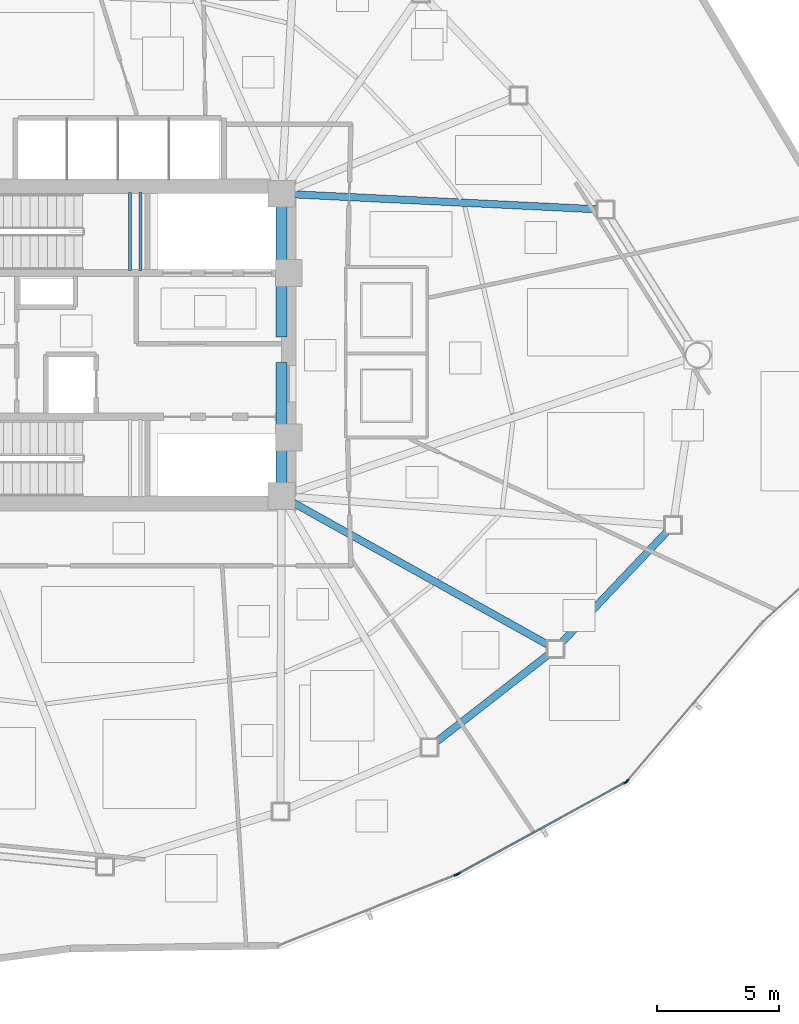
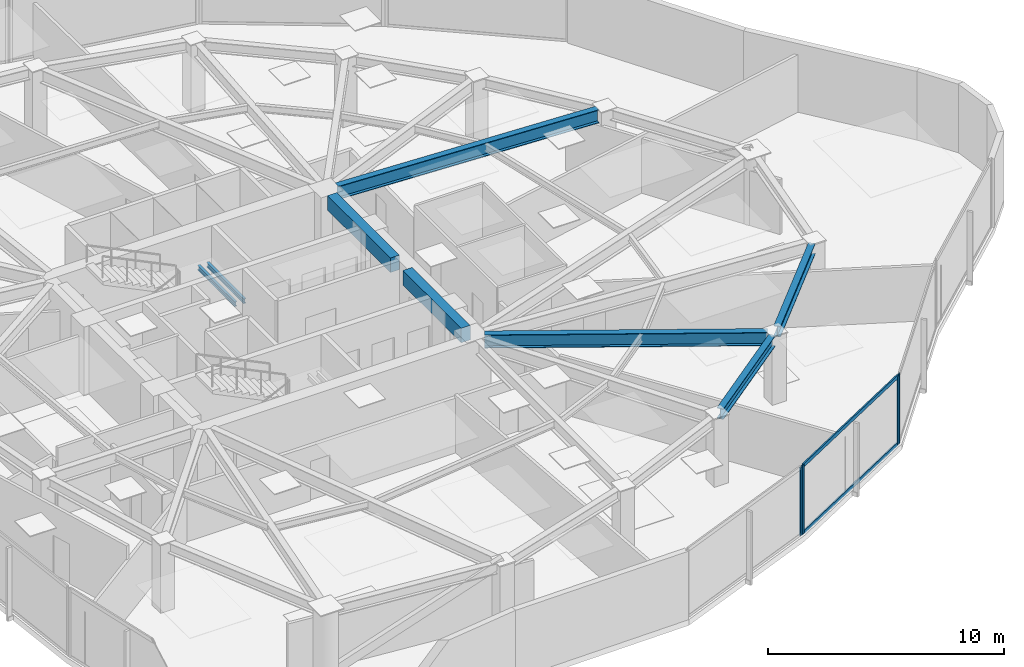
# One storey, part 5 of 16: 8 beams, 6 members, 3 elements without a shape of their own.
"""IFC4 building model written with IfcOpenShell, lengths in metres."""

from ifc_helpers import new_model, si_unit, direction, frame, origin, origin_2d, place, context, subcontext, project, spatial, rectangle, hollow_rectangle, i_section, extrude, source, transform, mapped, material, layer, layer_set, material_profile, profile_set, type_object, type_shapes, element, aggregate, save


model = new_model("IFC4")

# Units and contexts
model_context = context("Model", 3, precision=1e-05, world=origin(), true_north=direction((0.0, 1.0)))
body_context = subcontext(model_context, "Body", "Model", "MODEL_VIEW")
ifc_project = project(units=[si_unit("LENGTHUNIT", "METRE"), si_unit("AREAUNIT", "SQUARE_METRE"), si_unit("VOLUMEUNIT", "CUBIC_METRE"), si_unit("PLANEANGLEUNIT", "RADIAN"), si_unit("MASSUNIT", "GRAM", prefix="KILO")], contexts=[model_context])

# Site, building, storey
site_placement = place(None, origin())
site = spatial("IfcSite", under=ifc_project, at=site_placement, CompositionType="ELEMENT")
building_placement = place(site_placement, origin())
building = spatial("IfcBuilding", under=site, at=building_placement, Name="Tavelor Broadcast Tower", CompositionType="ELEMENT")
storey_placement = place(building_placement, frame((0.0, 0.0, 138.699951171875)))
storey = spatial("IfcBuildingStorey", under=building, at=storey_placement, Name="L32", CompositionType="ELEMENT", Elevation=138.699951171875)

# Beams
ifc_material_1 = material(Name="Concrete C40/50", Category="concrete")
ifc_material_profile_1 = material_profile(ifc_material_1, rectangle(XDim=0.449951171875, YDim=0.75, at=origin_2d()), Name="RC 450x750")
ifc_profile_set_1 = profile_set([ifc_material_profile_1], Name="Concrete C40/50")
beam_type_1 = type_object("IfcBeamType", Name="Basement Core Trim Beam 450x750", PredefinedType="BEAM", material=ifc_profile_set_1)
beam_1_placement = place(storey_placement, frame((56.60009765625, 45.327880859375, 3.175048828125), z_axis=(0.0, 1.0, 0.0), x_axis=(-1.0, 0.0, 0.0)))
element("IfcBeam", 1, at=beam_1_placement, inside=storey, type_object=beam_type_1, Name="L32 Core East-N Tie Girder", PredefinedType="BEAM", context=body_context, shape_type="SweptSolid", body=[
    extrude(rectangle(XDim=0.449951171875, YDim=0.75, at=origin_2d()), origin(), (0.0, 0.0, 1.0), 5.34423828125),
])
beam_2_placement = place(storey_placement, frame((56.60009765625, 39.327880859375, 3.175048828125), z_axis=(0.0, 1.0, 0.0), x_axis=(-1.0, 0.0, 0.0)))
element("IfcBeam", 2, at=beam_2_placement, inside=storey, type_object=beam_type_1, Name="L32 Core East-S Tie Girder", PredefinedType="BEAM", context=body_context, shape_type="SweptSolid", body=[
    extrude(rectangle(XDim=0.449951171875, YDim=0.75, at=origin_2d()), origin(), (0.0, 0.0, 1.0), 4.944091796875),
])
ifc_material_2 = material(Name="Steel S355", Category="steel")
ifc_material_profile_2 = material_profile(ifc_material_2, i_section(OverallWidth=0.300048828125, OverallDepth=0.550048828125, WebThickness=0.014892578125, FlangeThickness=0.029052734375, at=origin_2d()), Name="HEB 550")
ifc_profile_set_2 = profile_set([ifc_material_profile_2], Name="Steel S355")
beam_type_2 = type_object("IfcBeamType", Name="Perimeter Spandrel Beam T3 HEB 550", PredefinedType="SPANDREL", material=ifc_profile_set_2)
beam_3_placement = place(storey_placement, frame((62.934326171875, 28.709716796875, 3.275146484375), z_axis=(0.788970059341, 0.614431644257, 0.0), x_axis=(-0.614431644257, 0.788970059341, 0.0)))
element("IfcBeam", 3, at=beam_3_placement, inside=storey, type_object=beam_type_2, Name="L32 Framed-Tube Ring Spandrel 10", PredefinedType="SPANDREL", context=body_context, shape_type="SweptSolid", body=[
    extrude(i_section(OverallWidth=0.300048828125, OverallDepth=0.550048828125, WebThickness=0.014892578125, FlangeThickness=0.029052734375, at=origin_2d()), origin(), (0.0, 0.0, 1.0), 5.884765625),
])
beam_4_placement = place(storey_placement, frame((68.073486328125, 32.775390625, 3.275146484375), z_axis=(0.688378130541, 0.72535201757, 0.0), x_axis=(-0.72535201757, 0.688378130541, 0.0)))
element("IfcBeam", 4, at=beam_4_placement, inside=storey, type_object=beam_type_2, Name="L32 Framed-Tube Ring Spandrel 11", PredefinedType="SPANDREL", context=body_context, shape_type="SweptSolid", body=[
    extrude(i_section(OverallWidth=0.300048828125, OverallDepth=0.550048828125, WebThickness=0.014892578125, FlangeThickness=0.029052734375, at=origin_2d()), origin(), (0.0, 0.0, 1.0), 6.32568359375),
])
ifc_material_profile_3 = material_profile(ifc_material_2, i_section(OverallWidth=0.300048828125, OverallDepth=0.68994140625, WebThickness=0.014404296875, FlangeThickness=0.027099609375, at=origin_2d()), Name="HEA 700")
ifc_profile_set_3 = profile_set([ifc_material_profile_3], Name="Steel S355")
beam_type_3 = type_object("IfcBeamType", Name="Radial Floor Girder T3 HEA 700", PredefinedType="BEAM", material=ifc_profile_set_3)
beam_5_placement = place(storey_placement, frame((57.061279296875, 38.54296875, 3.205078125), z_axis=(0.873405286678, -0.486994050481, 0.0), x_axis=(0.486994050481, 0.873405286678, 0.0)))
element("IfcBeam", 5, at=beam_5_placement, inside=storey, type_object=beam_type_3, Name="L32 Radial Primary Floor Girder 11", PredefinedType="BEAM", context=body_context, shape_type="SweptSolid", body=[
    extrude(i_section(OverallWidth=0.300048828125, OverallDepth=0.68994140625, WebThickness=0.014404296875, FlangeThickness=0.027099609375, at=origin_2d()), origin(), (0.0, 0.0, 1.0), 12.007568359375),
])
beam_6_placement = place(storey_placement, frame((57.12744140625, 51.174072265625, 3.205078125), z_axis=(0.998783710906, -0.04930617435, 0.0), x_axis=(0.04930617435, 0.998783710906, 0.0)))
element("IfcBeam", 6, at=beam_6_placement, inside=storey, type_object=beam_type_3, Name="L32 Radial Primary Floor Girder 14", PredefinedType="BEAM", context=body_context, shape_type="SweptSolid", body=[
    extrude(i_section(OverallWidth=0.300048828125, OverallDepth=0.68994140625, WebThickness=0.014404296875, FlangeThickness=0.027099609375, at=origin_2d()), origin(), (0.0, 0.0, 1.0), 12.438232421875),
])
ifc_material_profile_4 = material_profile(ifc_material_2, i_section(OverallWidth=0.1201171875, OverallDepth=0.239990234375, WebThickness=0.006103515625, FlangeThickness=0.009765625, at=origin_2d()), Name="IPE 240")
ifc_profile_set_4 = profile_set([ifc_material_profile_4], Name="Steel S355")
beam_type_4 = type_object("IfcBeamType", Name="Stairwell Landing Support Trimmer Beam IPE240", PredefinedType="BEAM", material=ifc_profile_set_4)
for number, where, z_axis, x_axis, name in (
    (7, (50.385009765625, 48.06005859375, 1.610107421875), (0.0, 1.0, 0.0), (-1.0, 0.0, 0.0), "L32 Stair Landing Support Beam 97"),
    (8, (50.824951171875, 48.06005859375, 1.610107421875), (0.0, 1.0, 0.0), (-1.0, 0.0, 0.0), "L32 Stair Landing Support Beam 98"),
):
    element("IfcBeam", number, at=place(storey_placement, frame(where, z_axis=z_axis, x_axis=x_axis)), inside=storey, type_object=beam_type_4, Name=name, PredefinedType="BEAM", context=body_context, shape_type="SweptSolid", body=[
        extrude(i_section(OverallWidth=0.1201171875, OverallDepth=0.239990234375, WebThickness=0.006103515625, FlangeThickness=0.009765625, at=origin_2d()), origin(), (0.0, 0.0, 1.0), 3.179931640625),
    ])

# Curtain wall, member
ifc_material_3 = material(Name="Architectural Anodized Aluminium", Category="aluminium")
ifc_layer = layer(ifc_material_3, 0.18994140625)
ifc_layer_set = layer_set([ifc_layer], Name="Architectural Anodized Aluminium")
curtain_wall_type = type_object("IfcCurtainWallType", Name="Tower Mid-Zone Acoustic Curtain Wall CW03", PredefinedType="NOTDEFINED", material=ifc_layer_set)
curtain_wall_1_placement = place(storey_placement, origin())
curtain_wall_1 = element("IfcCurtainWall", 9, at=curtain_wall_1_placement, inside=storey, type_object=curtain_wall_type, Name="L32 Curtain Wall CW03 Run 329", PredefinedType="NOTDEFINED")
ifc_material_profile_5 = material_profile(ifc_material_3, hollow_rectangle(XDim=0.068115234375, YDim=0.18994140625, WallThickness=0.02197265625, at=origin_2d()), Name="RHS 68x190x22")
ifc_profile_set_5 = profile_set([ifc_material_profile_5], Name="Architectural Anodized Aluminium")
member_type_1 = type_object("IfcMemberType", Name="CW03 Extruded Aluminium Mullion 68x190", PredefinedType="MULLION", material=ifc_profile_set_5)
shared_shape_1 = source(origin(), body_context, "Body", "SweptSolid", [
    extrude(hollow_rectangle(XDim=0.068115234375, YDim=0.18994140625, WallThickness=0.02197265625, at=origin_2d()), origin(), (0.0, 0.0, 1.0), 3.550048828125),
])
type_shapes(member_type_1, [shared_shape_1])
member_1_placement = place(storey_placement, frame((63.768798828125, 23.27490234375, 0.0), z_axis=(0.0, 0.0, 1.0), x_axis=(-0.370161763197, 0.928967313239, 0.0)))
member_1 = element("IfcMember", 10, at=member_1_placement, type_object=member_type_1, Name="CW03 mullion 2", PredefinedType="MULLION", context=body_context, shape_type="MappedRepresentation", body=[
    mapped(shared_shape_1, transform((0.0, 0.0, 0.0), scale=1.0)),
])
aggregate(curtain_wall_1, [member_1])

# Curtain wall, members
curtain_wall_2_placement = place(storey_placement, origin())
curtain_wall_2 = element("IfcCurtainWall", 11, at=curtain_wall_2_placement, inside=storey, type_object=curtain_wall_type, Name="L32 Curtain Wall CW03 Run 330", PredefinedType="NOTDEFINED")
member_2_placement = place(storey_placement, frame((63.857421875, 23.316650390625, 0.0), z_axis=(0.0, 0.0, 1.0), x_axis=(-0.479832663434, 0.877360025931, 0.0)))
member_2 = element("IfcMember", 12, at=member_2_placement, type_object=member_type_1, Name="CW03 mullion 1", PredefinedType="MULLION", context=body_context, shape_type="MappedRepresentation", body=[
    mapped(shared_shape_1, transform((0.0, 0.0, 0.0), scale=1.0)),
])
member_3_placement = place(storey_placement, frame((70.704345703125, 27.061279296875, 0.0), z_axis=(0.0, 0.0, 1.0), x_axis=(-0.479832663434, 0.877360025931, 0.0)))
member_3 = element("IfcMember", 13, at=member_3_placement, type_object=member_type_1, Name="CW03 mullion 2", PredefinedType="MULLION", context=body_context, shape_type="MappedRepresentation", body=[
    mapped(shared_shape_1, transform((0.0, 0.0, 0.0), scale=1.0)),
])

# Curtain wall, member
curtain_wall_3_placement = place(storey_placement, origin())
curtain_wall_3 = element("IfcCurtainWall", 14, at=curtain_wall_3_placement, inside=storey, type_object=curtain_wall_type, Name="L32 Curtain Wall CW03 Run 331", PredefinedType="NOTDEFINED")
member_4_placement = place(storey_placement, frame((70.779052734375, 27.1220703125, 0.0), z_axis=(0.0, 0.0, 1.0), x_axis=(-0.761224564564, 0.648488367131, 0.0)))
member_4 = element("IfcMember", 15, at=member_4_placement, type_object=member_type_1, Name="CW03 mullion 1", PredefinedType="MULLION", context=body_context, shape_type="MappedRepresentation", body=[
    mapped(shared_shape_1, transform((0.0, 0.0, 0.0), scale=1.0)),
])
aggregate(curtain_wall_3, [member_4])

# Member
ifc_material_profile_6 = material_profile(ifc_material_3, hollow_rectangle(XDim=0.068115234375, YDim=0.18994140625, WallThickness=0.02197265625, at=origin_2d()), Name="RHS 68x190x22")
ifc_profile_set_6 = profile_set([ifc_material_profile_6], Name="Architectural Anodized Aluminium")
member_type_2 = type_object("IfcMemberType", Name="CW03 Extruded Aluminium Transom 68x190", PredefinedType="USERDEFINED", material=ifc_profile_set_6)
shared_shape_2 = source(origin(), body_context, "Body", "SweptSolid", [
    extrude(hollow_rectangle(XDim=0.068115234375, YDim=0.18994140625, WallThickness=0.02197265625, at=origin_2d()), origin(), (0.0, 0.0, 1.0), 7.736083984375),
])
type_shapes(member_type_2, [shared_shape_2])
member_5_placement = place(storey_placement, frame((63.88720703125, 23.3330078125, 0.033935546875), z_axis=(0.877366780235, 0.479820313179, 0.0), x_axis=(-0.479820313179, 0.877366780235, 0.0)))
member_5 = element("IfcMember", 16, at=member_5_placement, type_object=member_type_2, Name="CW03 transom 1.1", ObjectType="TRANSOM", PredefinedType="USERDEFINED", context=body_context, shape_type="MappedRepresentation", body=[
    mapped(shared_shape_2, transform((0.0, 0.0, 0.0), scale=1.0)),
])

member_6_placement = place(storey_placement, frame((63.88720703125, 23.3330078125, 3.51611328125), z_axis=(0.877366780235, 0.479820313179, 0.0), x_axis=(-0.479820313179, 0.877366780235, 0.0)))
member_6 = element("IfcMember", 17, at=member_6_placement, type_object=member_type_2, Name="CW03 transom 1.2", ObjectType="TRANSOM", PredefinedType="USERDEFINED", context=body_context, shape_type="MappedRepresentation", body=[
    mapped(shared_shape_2, transform((0.0, 0.0, 0.0), scale=1.0)),
])

aggregate(curtain_wall_2, [member_2, member_3, member_5, member_6])

save(model, "model.ifc")
